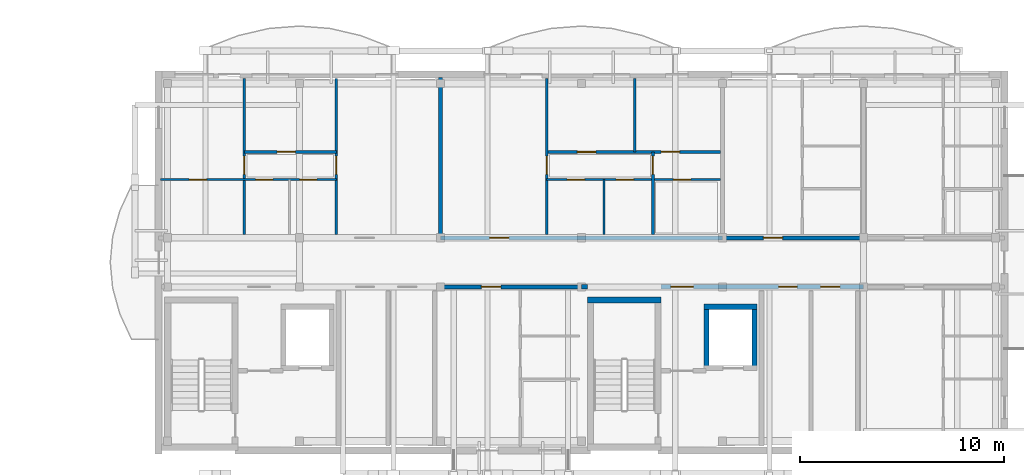
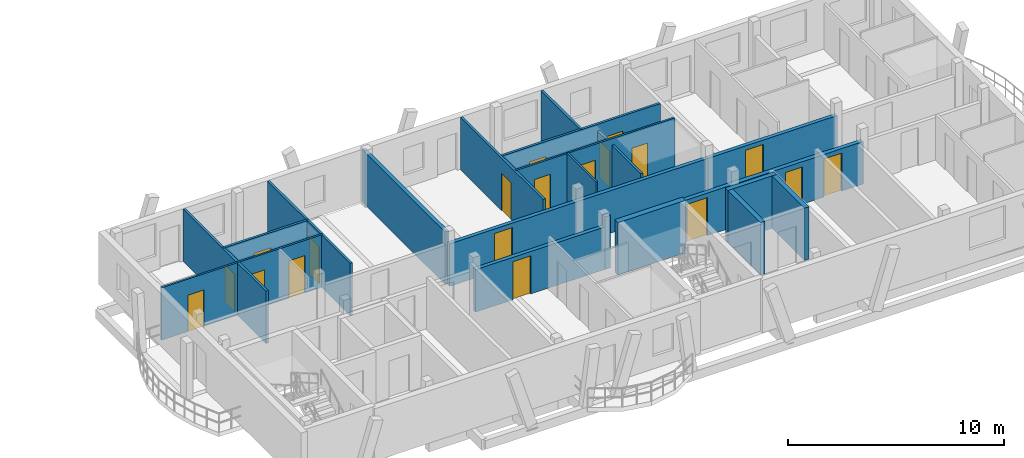
# One storey, part 29 of 41: 20 walls, 19 doors, 19 openings.
"""IFC4 building model written with IfcOpenShell, lengths in metres."""

from ifc_helpers import new_model, si_unit, direction, frame, frame_2d, origin, origin_with_axes, place, context, subcontext, project, spatial, rectangle, extrude, material, layer, layer_set, type_object, element, fill, save


model = new_model("IFC4")

# Units and contexts
model_context = context("Model", 3, precision=1e-05, world=origin(), true_north=direction((0.0, 1.0)))
body_context = subcontext(model_context, "Body", "Model", "MODEL_VIEW")
ifc_project = project(units=[si_unit("LENGTHUNIT", "METRE"), si_unit("AREAUNIT", "SQUARE_METRE"), si_unit("VOLUMEUNIT", "CUBIC_METRE"), si_unit("PLANEANGLEUNIT", "RADIAN"), si_unit("MASSUNIT", "GRAM", prefix="KILO")], contexts=[model_context])

# Site, building, storey
site_placement = place(None, origin())
site = spatial("IfcSite", under=ifc_project, at=site_placement, CompositionType="ELEMENT")
building_placement = place(site_placement, origin())
building = spatial("IfcBuilding", under=site, at=building_placement, Name="Zavelmont Quarter", CompositionType="ELEMENT")
storey_placement = place(building_placement, frame((0.0, 0.0, 27.199951171875)))
storey = spatial("IfcBuildingStorey", under=building, at=storey_placement, Name="L08", CompositionType="ELEMENT", Elevation=27.199951171875)

# Wall
ifc_material_1 = material(Name="Calcium-silicate blockwork and acoustic plaster", Category="masonry")
ifc_layer_1 = layer(ifc_material_1, 0.199951171875)
ifc_layer_set_1 = layer_set([ifc_layer_1], Name="Calcium-silicate blockwork and acoustic plaster")
wall_type_1 = type_object("IfcWallType", Name="IW01", PredefinedType="PARTITIONING", material=ifc_layer_set_1)
wall_1_placement = place(storey_placement, frame((140.39990234375, 108.14990234375, 0.0), z_axis=(0.0, 0.0, 1.0), x_axis=(0.0, 1.0, 0.0)))
element("IfcWall", 1, at=wall_1_placement, inside=storey, type_object=wall_type_1, Name="L08 Inter-dwelling compartment wall IW01", PredefinedType="PARTITIONING", context=body_context, shape_type="SweptSolid", body=[
    extrude(rectangle(XDim=7.7001953125, YDim=0.199951171875, at=frame_2d((3.85009765625, 0.0))), origin(), (0.0, 0.0, 1.0), 2.9599609375),
])

# Wall, opening, door
wall_2_placement = place(storey_placement, frame((140.39990234375, 108.0, 0.0), z_axis=(0.0, 0.0, 1.0), x_axis=(1.0, 0.0, 0.0)))
wall_2 = element("IfcWall", 2, at=wall_2_placement, inside=storey, type_object=wall_type_1, Name="L08 Corridor compartment wall IW01", PredefinedType="PARTITIONING", context=body_context, shape_type="SweptSolid", body=[
    extrude(rectangle(XDim=13.800048828125, YDim=0.199951171875, at=frame_2d((6.89990234375, 0.0))), origin(), (0.0, 0.0, 1.0), 2.400146484375),
])
opening_1_placement = place(wall_2_placement, frame((2.39990234375, 0.0, 0.0)))
opening_1 = element("IfcOpeningElement", 3, at=opening_1_placement, cuts=wall_2, Name="Opening DR02", PredefinedType="OPENING", context=body_context, shape_type="SweptSolid", body=[
    extrude(rectangle(XDim=0.949951171875, YDim=2.14990234375, at=frame_2d((0.47509765625, 1.074951171875))), frame((0.0, 0.11181640625, 0.0), z_axis=(0.0, -1.0, 0.0), x_axis=(1.0, 0.0, 0.0)), (0.0, 0.0, 1.0), 0.223876953125),
])
ifc_material_2 = material(Name="Solid-core oak fire leaf in steel frame", Category="steel")
door_type_1 = type_object("IfcDoorType", Name="DR02", OperationType="NOTDEFINED", PredefinedType="DOOR", material=ifc_material_2)
door_1_placement = place(opening_1_placement, origin_with_axes())
door_1 = element("IfcDoor", 4, at=door_1_placement, inside=storey, type_object=door_type_1, Name="L08 door DR02", OperationType="SINGLE_SWING_LEFT", OverallHeight=2.14990234375, OverallWidth=0.949951171875, PredefinedType="DOOR", context=body_context, shape_type="SweptSolid", body=[
    extrude(rectangle(XDim=0.949951171875, YDim=2.14990234375, at=frame_2d((0.47509765625, 1.074951171875))), frame((0.0, 0.02490234375, 0.0), z_axis=(0.0, -1.0, 0.0), x_axis=(1.0, 0.0, 0.0)), (0.0, 0.0, 1.0), 0.050048828125),
])
fill(opening_1, door_1)

wall_3_placement = place(storey_placement, frame((154.199951171875, 108.0, 0.0), z_axis=(0.0, 0.0, 1.0), x_axis=(1.0, 0.0, 0.0)))
wall_3 = element("IfcWall", 5, at=wall_3_placement, inside=storey, type_object=wall_type_1, Name="L08 Corridor compartment wall IW01", PredefinedType="PARTITIONING", context=body_context, shape_type="SweptSolid", body=[
    extrude(rectangle(XDim=6.900146484375, YDim=0.199951171875, at=frame_2d((3.4501953125, 0.0))), origin(), (0.0, 0.0, 1.0), 2.400146484375),
])
opening_2_placement = place(wall_3_placement, frame((2.0, 0.0, 0.0)))
opening_2 = element("IfcOpeningElement", 6, at=opening_2_placement, cuts=wall_3, Name="Opening DR02", PredefinedType="OPENING", context=body_context, shape_type="SweptSolid", body=[
    extrude(rectangle(XDim=0.949951171875, YDim=2.14990234375, at=frame_2d((0.47509765625, 1.074951171875))), frame((0.0, 0.11181640625, 0.0), z_axis=(0.0, -1.0, 0.0), x_axis=(1.0, 0.0, 0.0)), (0.0, 0.0, 1.0), 0.223876953125),
])
door_2_placement = place(opening_2_placement, origin_with_axes())
door_2 = element("IfcDoor", 7, at=door_2_placement, inside=storey, type_object=door_type_1, Name="L08 door DR02", OperationType="SINGLE_SWING_RIGHT", OverallHeight=2.14990234375, OverallWidth=0.949951171875, PredefinedType="DOOR", context=body_context, shape_type="SweptSolid", body=[
    extrude(rectangle(XDim=0.949951171875, YDim=2.14990234375, at=frame_2d((0.47509765625, 1.074951171875))), frame((0.0, 0.02490234375, 0.0), z_axis=(0.0, -1.0, 0.0), x_axis=(1.0, 0.0, 0.0)), (0.0, 0.0, 1.0), 0.050048828125),
])
fill(opening_2, door_2)

wall_4_placement = place(storey_placement, frame((140.39990234375, 105.60009765625, 0.0), z_axis=(0.0, 0.0, 1.0), x_axis=(1.0, 0.0, 0.0)))
wall_4 = element("IfcWall", 8, at=wall_4_placement, inside=storey, type_object=wall_type_1, Name="L08 Corridor compartment wall IW01", PredefinedType="PARTITIONING", context=body_context, shape_type="SweptSolid", body=[
    extrude(rectangle(XDim=6.900146484375, YDim=0.199951171875, at=frame_2d((3.4501953125, 0.0))), origin(), (0.0, 0.0, 1.0), 2.400146484375),
])
opening_3_placement = place(wall_4_placement, frame((2.0, 0.0, 0.0)))
opening_3 = element("IfcOpeningElement", 9, at=opening_3_placement, cuts=wall_4, Name="Opening DR02", PredefinedType="OPENING", context=body_context, shape_type="SweptSolid", body=[
    extrude(rectangle(XDim=0.949951171875, YDim=2.14990234375, at=frame_2d((0.47509765625, 1.074951171875))), frame((0.0, 0.11181640625, 0.0), z_axis=(0.0, -1.0, 0.0), x_axis=(1.0, 0.0, 0.0)), (0.0, 0.0, 1.0), 0.223876953125),
])
door_3_placement = place(opening_3_placement, frame((0.949951171875, 0.0, 0.0), z_axis=(0.0, 0.0, 1.0), x_axis=(-1.0, 0.0, 0.0)))
door_3 = element("IfcDoor", 10, at=door_3_placement, inside=storey, type_object=door_type_1, Name="L08 door DR02", OperationType="SINGLE_SWING_RIGHT", OverallHeight=2.14990234375, OverallWidth=0.949951171875, PredefinedType="DOOR", context=body_context, shape_type="SweptSolid", body=[
    extrude(rectangle(XDim=0.949951171875, YDim=2.14990234375, at=frame_2d((0.47509765625, 1.074951171875))), frame((0.0, 0.02490234375, 0.0), z_axis=(0.0, -1.0, 0.0), x_axis=(1.0, 0.0, 0.0)), (0.0, 0.0, 1.0), 0.050048828125),
])
fill(opening_3, door_3)

# Wall
ifc_material_3 = material(Name="Reinforced masonry fire compartment wall", Category="masonry")
ifc_layer_2 = layer(ifc_material_3, 0.22509765625)
ifc_layer_set_2 = layer_set([ifc_layer_2], Name="Reinforced masonry fire compartment wall")
wall_type_2 = type_object("IfcWallType", Name="IW02", PredefinedType="PARTITIONING", material=ifc_layer_set_2)
wall_5_placement = place(storey_placement, frame((147.300048828125, 105.60009765625, 0.0), z_axis=(0.0, 0.0, 1.0), x_axis=(1.0, 0.0, 0.0)))
element("IfcWall", 11, at=wall_5_placement, inside=storey, type_object=wall_type_2, Name="L08 Core corridor wall IW02", PredefinedType="PARTITIONING", context=body_context, shape_type="SweptSolid", body=[
    extrude(rectangle(XDim=0.300048828125, YDim=0.22509765625, at=frame_2d((0.14990234375, 0.0))), origin(), (0.0, 0.0, 1.0), 2.9599609375),
])

# Wall, openings, doors
wall_6_placement = place(storey_placement, frame((151.199951171875, 105.60009765625, 0.0), z_axis=(0.0, 0.0, 1.0), x_axis=(1.0, 0.0, 0.0)))
wall_6 = element("IfcWall", 12, at=wall_6_placement, inside=storey, type_object=wall_type_2, Name="L08 Core corridor fire wall IW02", PredefinedType="PARTITIONING", context=body_context, shape_type="SweptSolid", body=[
    extrude(rectangle(XDim=9.900146484375, YDim=0.22509765625, at=frame_2d((4.9501953125, 0.0))), origin(), (0.0, 0.0, 1.0), 2.400146484375),
])
opening_4_placement = place(wall_6_placement, frame((0.47509765625, 0.0, 0.0)))
opening_4 = element("IfcOpeningElement", 13, at=opening_4_placement, cuts=wall_6, Name="Opening DR10", PredefinedType="OPENING", context=body_context, shape_type="SweptSolid", body=[
    extrude(rectangle(XDim=1.10009765625, YDim=2.14990234375, at=frame_2d((0.550048828125, 1.074951171875))), frame((0.0, 0.12451171875, 0.0), z_axis=(0.0, -1.0, 0.0), x_axis=(1.0, 0.0, 0.0)), (0.0, 0.0, 1.0), 0.2490234375),
])
opening_5_placement = place(wall_6_placement, frame((5.75, 0.0, 0.0)))
opening_5 = element("IfcOpeningElement", 14, at=opening_5_placement, cuts=wall_6, Name="Opening DR11", PredefinedType="OPENING", context=body_context, shape_type="SweptSolid", body=[
    extrude(rectangle(XDim=0.89990234375, YDim=2.10009765625, at=frame_2d((0.449951171875, 1.050048828125))), frame((0.0, 0.12451171875, 0.0), z_axis=(0.0, -1.0, 0.0), x_axis=(1.0, 0.0, 0.0)), (0.0, 0.0, 1.0), 0.2490234375),
])
opening_6_placement = place(wall_6_placement, frame((7.800048828125, 0.0, 0.0)))
opening_6 = element("IfcOpeningElement", 15, at=opening_6_placement, cuts=wall_6, Name="Opening DR02", PredefinedType="OPENING", context=body_context, shape_type="SweptSolid", body=[
    extrude(rectangle(XDim=0.949951171875, YDim=2.14990234375, at=frame_2d((0.47509765625, 1.074951171875))), frame((0.0, 0.12451171875, 0.0), z_axis=(0.0, -1.0, 0.0), x_axis=(1.0, 0.0, 0.0)), (0.0, 0.0, 1.0), 0.2490234375),
])
door_4_placement = place(opening_6_placement, origin_with_axes())
door_4 = element("IfcDoor", 16, at=door_4_placement, inside=storey, type_object=door_type_1, Name="Auxiliary store corridor door", OperationType="SINGLE_SWING_RIGHT", OverallHeight=2.14990234375, OverallWidth=0.949951171875, PredefinedType="DOOR", context=body_context, shape_type="SweptSolid", body=[
    extrude(rectangle(XDim=0.949951171875, YDim=2.14990234375, at=frame_2d((0.47509765625, 1.074951171875))), frame((0.0, 0.02490234375, 0.0), z_axis=(0.0, -1.0, 0.0), x_axis=(1.0, 0.0, 0.0)), (0.0, 0.0, 1.0), 0.050048828125),
])
fill(opening_6, door_4)
ifc_material_4 = material(Name="Painted steel lobby fire door", Category="steel")
door_type_2 = type_object("IfcDoorType", Name="DR10", OperationType="NOTDEFINED", PredefinedType="DOOR", material=ifc_material_4)
door_5_placement = place(opening_4_placement, frame((1.10009765625, 0.0, 0.0), z_axis=(0.0, 0.0, 1.0), x_axis=(-1.0, 0.0, 0.0)))
door_5 = element("IfcDoor", 17, at=door_5_placement, inside=storey, type_object=door_type_2, Name="Core vestibule fire door", OperationType="SINGLE_SWING_RIGHT", OverallHeight=2.14990234375, OverallWidth=1.10009765625, PredefinedType="DOOR", context=body_context, shape_type="SweptSolid", body=[
    extrude(rectangle(XDim=1.10009765625, YDim=2.14990234375, at=frame_2d((0.550048828125, 1.074951171875))), frame((0.0, 0.02490234375, 0.0), z_axis=(0.0, -1.0, 0.0), x_axis=(1.0, 0.0, 0.0)), (0.0, 0.0, 1.0), 0.050048828125),
])
fill(opening_4, door_5)
ifc_material_5 = material(Name="Painted steel service-riser fire door", Category="steel")
door_type_3 = type_object("IfcDoorType", Name="DR11", OperationType="NOTDEFINED", PredefinedType="DOOR", material=ifc_material_5)
door_6_placement = place(opening_5_placement, origin_with_axes())
door_6 = element("IfcDoor", 18, at=door_6_placement, inside=storey, type_object=door_type_3, Name="Service riser fire door", OperationType="SINGLE_SWING_LEFT", OverallHeight=2.10009765625, OverallWidth=0.89990234375, PredefinedType="DOOR", context=body_context, shape_type="SweptSolid", body=[
    extrude(rectangle(XDim=0.89990234375, YDim=2.10009765625, at=frame_2d((0.449951171875, 1.050048828125))), frame((0.0, 0.02490234375, 0.0), z_axis=(0.0, -1.0, 0.0), x_axis=(1.0, 0.0, 0.0)), (0.0, 0.0, 1.0), 0.050048828125),
])
fill(opening_5, door_6)

# Wall, opening, door
ifc_material_6 = material(Name="Double gypsum board on acoustic steel stud", Category="steel")
ifc_layer_3 = layer(ifc_material_6, 0.125)
ifc_layer_set_3 = layer_set([ifc_layer_3], Name="Double gypsum board on acoustic steel stud")
wall_type_3 = type_object("IfcWallType", Name="IW03", PredefinedType="PARTITIONING", material=ifc_layer_set_3)
wall_7_placement = place(storey_placement, frame((135.300048828125, 108.14990234375, 0.0), z_axis=(0.0, 0.0, 1.0), x_axis=(0.0, 1.0, 0.0)))
wall_7 = element("IfcWall", 19, at=wall_7_placement, inside=storey, type_object=wall_type_3, Name="L08 Partition IW03", PredefinedType="PARTITIONING", context=body_context, shape_type="SweptSolid", body=[
    extrude(rectangle(XDim=7.650146484375, YDim=0.125, at=frame_2d((3.8251953125, 0.0))), origin(), (0.0, 0.0, 1.0), 2.9599609375),
])
opening_7_placement = place(wall_7_placement, frame((2.949951171875, 0.0, 0.0)))
opening_7 = element("IfcOpeningElement", 20, at=opening_7_placement, cuts=wall_7, Name="Opening DR05", PredefinedType="OPENING", context=body_context, shape_type="SweptSolid", body=[
    extrude(rectangle(XDim=0.89990234375, YDim=2.10009765625, at=frame_2d((0.449951171875, 1.050048828125))), frame((0.0, 0.074462890625, 0.0), z_axis=(0.0, -1.0, 0.0), x_axis=(1.0, 0.0, 0.0)), (0.0, 0.0, 1.0), 0.14892578125),
])
ifc_material_7 = material(Name="Engineered oak flush interior door")
door_type_4 = type_object("IfcDoorType", Name="DR05", OperationType="NOTDEFINED", PredefinedType="DOOR", material=ifc_material_7)
door_7_placement = place(opening_7_placement, origin_with_axes())
door_7 = element("IfcDoor", 21, at=door_7_placement, inside=storey, type_object=door_type_4, Name="L08 door DR05", OperationType="SINGLE_SWING_LEFT", OverallHeight=2.10009765625, OverallWidth=0.89990234375, PredefinedType="DOOR", context=body_context, shape_type="SweptSolid", body=[
    extrude(rectangle(XDim=0.89990234375, YDim=2.10009765625, at=frame_2d((0.449951171875, 1.050048828125))), frame((0.0, 0.02490234375, 0.0), z_axis=(0.0, -1.0, 0.0), x_axis=(1.0, 0.0, 0.0)), (0.0, 0.0, 1.0), 0.050048828125),
])
fill(opening_7, door_7)

wall_8_placement = place(storey_placement, frame((130.800048828125, 108.14990234375, 0.0), z_axis=(0.0, 0.0, 1.0), x_axis=(0.0, 1.0, 0.0)))
wall_8 = element("IfcWall", 22, at=wall_8_placement, inside=storey, type_object=wall_type_3, Name="L08 Partition IW03", PredefinedType="PARTITIONING", context=body_context, shape_type="SweptSolid", body=[
    extrude(rectangle(XDim=7.650146484375, YDim=0.125, at=frame_2d((3.8251953125, 0.0))), origin(), (0.0, 0.0, 1.0), 2.9599609375),
])
opening_8_placement = place(wall_8_placement, frame((2.949951171875, 0.0, 0.0)))
opening_8 = element("IfcOpeningElement", 23, at=opening_8_placement, cuts=wall_8, Name="Opening DR05", PredefinedType="OPENING", context=body_context, shape_type="SweptSolid", body=[
    extrude(rectangle(XDim=0.89990234375, YDim=2.10009765625, at=frame_2d((0.449951171875, 1.050048828125))), frame((0.0, 0.074462890625, 0.0), z_axis=(0.0, -1.0, 0.0), x_axis=(1.0, 0.0, 0.0)), (0.0, 0.0, 1.0), 0.14892578125),
])
door_8_placement = place(opening_8_placement, frame((0.89990234375, 0.0, 0.0), z_axis=(0.0, 0.0, 1.0), x_axis=(-1.0, 0.0, 0.0)))
door_8 = element("IfcDoor", 24, at=door_8_placement, inside=storey, type_object=door_type_4, Name="L08 door DR05", OperationType="SINGLE_SWING_RIGHT", OverallHeight=2.10009765625, OverallWidth=0.89990234375, PredefinedType="DOOR", context=body_context, shape_type="SweptSolid", body=[
    extrude(rectangle(XDim=0.89990234375, YDim=2.10009765625, at=frame_2d((0.449951171875, 1.050048828125))), frame((0.0, 0.02490234375, 0.0), z_axis=(0.0, -1.0, 0.0), x_axis=(1.0, 0.0, 0.0)), (0.0, 0.0, 1.0), 0.050048828125),
])
fill(opening_8, door_8)

wall_9_placement = place(storey_placement, frame((130.800048828125, 112.199951171875, 0.0), z_axis=(0.0, 0.0, 1.0), x_axis=(1.0, 0.0, 0.0)))
wall_9 = element("IfcWall", 25, at=wall_9_placement, inside=storey, type_object=wall_type_3, Name="L08 Partition IW03", PredefinedType="PARTITIONING", context=body_context, shape_type="SweptSolid", body=[
    extrude(rectangle(XDim=4.5, YDim=0.125, at=frame_2d((2.25, 0.0))), origin(), (0.0, 0.0, 1.0), 2.9599609375),
])
opening_9_placement = place(wall_9_placement, frame((1.60009765625, 0.0, 0.0)))
opening_9 = element("IfcOpeningElement", 26, at=opening_9_placement, cuts=wall_9, Name="Opening DR05", PredefinedType="OPENING", context=body_context, shape_type="SweptSolid", body=[
    extrude(rectangle(XDim=0.89990234375, YDim=2.10009765625, at=frame_2d((0.449951171875, 1.050048828125))), frame((0.0, 0.074462890625, 0.0), z_axis=(0.0, -1.0, 0.0), x_axis=(1.0, 0.0, 0.0)), (0.0, 0.0, 1.0), 0.14892578125),
])
door_9_placement = place(opening_9_placement, frame((0.89990234375, 0.0, 0.0), z_axis=(0.0, 0.0, 1.0), x_axis=(-1.0, 0.0, 0.0)))
door_9 = element("IfcDoor", 27, at=door_9_placement, inside=storey, type_object=door_type_4, Name="L08 door DR05", OperationType="SINGLE_SWING_RIGHT", OverallHeight=2.10009765625, OverallWidth=0.89990234375, PredefinedType="DOOR", context=body_context, shape_type="SweptSolid", body=[
    extrude(rectangle(XDim=0.89990234375, YDim=2.10009765625, at=frame_2d((0.449951171875, 1.050048828125))), frame((0.0, 0.02490234375, 0.0), z_axis=(0.0, -1.0, 0.0), x_axis=(1.0, 0.0, 0.0)), (0.0, 0.0, 1.0), 0.050048828125),
])
fill(opening_9, door_9)

wall_10_placement = place(storey_placement, frame((145.60009765625, 108.14990234375, 0.0), z_axis=(0.0, 0.0, 1.0), x_axis=(0.0, 1.0, 0.0)))
wall_10 = element("IfcWall", 28, at=wall_10_placement, inside=storey, type_object=wall_type_3, Name="L08 Partition IW03", PredefinedType="PARTITIONING", context=body_context, shape_type="SweptSolid", body=[
    extrude(rectangle(XDim=7.650146484375, YDim=0.125, at=frame_2d((3.8251953125, 0.0))), origin(), (0.0, 0.0, 1.0), 2.9599609375),
])
opening_10_placement = place(wall_10_placement, frame((2.949951171875, 0.0, 0.0)))
opening_10 = element("IfcOpeningElement", 29, at=opening_10_placement, cuts=wall_10, Name="Opening DR05", PredefinedType="OPENING", context=body_context, shape_type="SweptSolid", body=[
    extrude(rectangle(XDim=0.89990234375, YDim=2.10009765625, at=frame_2d((0.449951171875, 1.050048828125))), frame((0.0, 0.074462890625, 0.0), z_axis=(0.0, -1.0, 0.0), x_axis=(1.0, 0.0, 0.0)), (0.0, 0.0, 1.0), 0.14892578125),
])
door_10_placement = place(opening_10_placement, frame((0.89990234375, 0.0, 0.0), z_axis=(0.0, 0.0, 1.0), x_axis=(-1.0, 0.0, 0.0)))
door_10 = element("IfcDoor", 30, at=door_10_placement, inside=storey, type_object=door_type_4, Name="L08 door DR05", OperationType="SINGLE_SWING_LEFT", OverallHeight=2.10009765625, OverallWidth=0.89990234375, PredefinedType="DOOR", context=body_context, shape_type="SweptSolid", body=[
    extrude(rectangle(XDim=0.89990234375, YDim=2.10009765625, at=frame_2d((0.449951171875, 1.050048828125))), frame((0.0, 0.02490234375, 0.0), z_axis=(0.0, -1.0, 0.0), x_axis=(1.0, 0.0, 0.0)), (0.0, 0.0, 1.0), 0.050048828125),
])
fill(opening_10, door_10)

wall_11_placement = place(storey_placement, frame((150.800048828125, 108.14990234375, 0.0), z_axis=(0.0, 0.0, 1.0), x_axis=(0.0, 1.0, 0.0)))
wall_11 = element("IfcWall", 31, at=wall_11_placement, inside=storey, type_object=wall_type_3, Name="L08 Partition IW03", PredefinedType="PARTITIONING", context=body_context, shape_type="SweptSolid", body=[
    extrude(rectangle(XDim=4.050048828125, YDim=0.125, at=frame_2d((2.02490234375, 0.0))), origin(), (0.0, 0.0, 1.0), 2.590087890625),
])
opening_11_placement = place(wall_11_placement, frame((2.949951171875, 0.0, 0.0)))
opening_11 = element("IfcOpeningElement", 32, at=opening_11_placement, cuts=wall_11, Name="Opening DR05", PredefinedType="OPENING", context=body_context, shape_type="SweptSolid", body=[
    extrude(rectangle(XDim=0.89990234375, YDim=2.10009765625, at=frame_2d((0.449951171875, 1.050048828125))), frame((0.0, 0.074462890625, 0.0), z_axis=(0.0, -1.0, 0.0), x_axis=(1.0, 0.0, 0.0)), (0.0, 0.0, 1.0), 0.14892578125),
])
door_11_placement = place(opening_11_placement, origin_with_axes())
door_11 = element("IfcDoor", 33, at=door_11_placement, inside=storey, type_object=door_type_4, Name="L08 door DR05", OperationType="SINGLE_SWING_RIGHT", OverallHeight=2.10009765625, OverallWidth=0.89990234375, PredefinedType="DOOR", context=body_context, shape_type="SweptSolid", body=[
    extrude(rectangle(XDim=0.89990234375, YDim=2.10009765625, at=frame_2d((0.449951171875, 1.050048828125))), frame((0.0, 0.02490234375, 0.0), z_axis=(0.0, -1.0, 0.0), x_axis=(1.0, 0.0, 0.0)), (0.0, 0.0, 1.0), 0.050048828125),
])
fill(opening_11, door_11)

# Wall
wall_12_placement = place(storey_placement, frame((149.89990234375, 112.199951171875, 0.0), z_axis=(0.0, 0.0, 1.0), x_axis=(0.0, 1.0, 0.0)))
element("IfcWall", 34, at=wall_12_placement, inside=storey, type_object=wall_type_3, Name="L08 Partition IW03", PredefinedType="PARTITIONING", context=body_context, shape_type="SweptSolid", body=[
    extrude(rectangle(XDim=3.60009765625, YDim=0.125, at=frame_2d((1.800048828125, 0.0))), origin(), (0.0, 0.0, 1.0), 2.9599609375),
])

# Wall, openings, doors
wall_13_placement = place(storey_placement, frame((145.60009765625, 112.199951171875, 0.0), z_axis=(0.0, 0.0, 1.0), x_axis=(1.0, 0.0, 0.0)))
wall_13 = element("IfcWall", 35, at=wall_13_placement, inside=storey, type_object=wall_type_3, Name="L08 Partition IW03", PredefinedType="PARTITIONING", context=body_context, shape_type="SweptSolid", body=[
    extrude(rectangle(XDim=8.5, YDim=0.125, at=frame_2d((4.25, 0.0))), origin(), (0.0, 0.0, 1.0), 2.9599609375),
])
opening_12_placement = place(wall_13_placement, frame((1.5, 0.0, 0.0)))
opening_12 = element("IfcOpeningElement", 36, at=opening_12_placement, cuts=wall_13, Name="Opening DR05", PredefinedType="OPENING", context=body_context, shape_type="SweptSolid", body=[
    extrude(rectangle(XDim=0.89990234375, YDim=2.10009765625, at=frame_2d((0.449951171875, 1.050048828125))), frame((0.0, 0.074462890625, 0.0), z_axis=(0.0, -1.0, 0.0), x_axis=(1.0, 0.0, 0.0)), (0.0, 0.0, 1.0), 0.14892578125),
])
opening_13_placement = place(wall_13_placement, frame((5.60009765625, 0.0, 0.0)))
opening_13 = element("IfcOpeningElement", 37, at=opening_13_placement, cuts=wall_13, Name="Opening DR05", PredefinedType="OPENING", context=body_context, shape_type="SweptSolid", body=[
    extrude(rectangle(XDim=0.89990234375, YDim=2.10009765625, at=frame_2d((0.449951171875, 1.050048828125))), frame((0.0, 0.074462890625, 0.0), z_axis=(0.0, -1.0, 0.0), x_axis=(1.0, 0.0, 0.0)), (0.0, 0.0, 1.0), 0.14892578125),
])
door_12_placement = place(opening_12_placement, origin_with_axes())
door_12 = element("IfcDoor", 38, at=door_12_placement, inside=storey, type_object=door_type_4, Name="L08 door DR05", OperationType="SINGLE_SWING_RIGHT", OverallHeight=2.10009765625, OverallWidth=0.89990234375, PredefinedType="DOOR", context=body_context, shape_type="SweptSolid", body=[
    extrude(rectangle(XDim=0.89990234375, YDim=2.10009765625, at=frame_2d((0.449951171875, 1.050048828125))), frame((0.0, 0.02490234375, 0.0), z_axis=(0.0, -1.0, 0.0), x_axis=(1.0, 0.0, 0.0)), (0.0, 0.0, 1.0), 0.050048828125),
])
fill(opening_12, door_12)
door_13_placement = place(opening_13_placement, frame((0.89990234375, 0.0, 0.0), z_axis=(0.0, 0.0, 1.0), x_axis=(-1.0, 0.0, 0.0)))
door_13 = element("IfcDoor", 39, at=door_13_placement, inside=storey, type_object=door_type_4, Name="L08 door DR05", OperationType="SINGLE_SWING_LEFT", OverallHeight=2.10009765625, OverallWidth=0.89990234375, PredefinedType="DOOR", context=body_context, shape_type="SweptSolid", body=[
    extrude(rectangle(XDim=0.89990234375, YDim=2.10009765625, at=frame_2d((0.449951171875, 1.050048828125))), frame((0.0, 0.02490234375, 0.0), z_axis=(0.0, -1.0, 0.0), x_axis=(1.0, 0.0, 0.0)), (0.0, 0.0, 1.0), 0.050048828125),
])
fill(opening_13, door_13)

ifc_material_8 = material(Name="Moisture-resistant gypsum board on steel stud", Category="steel")
ifc_layer_4 = layer(ifc_material_8, 0.10009765625)
ifc_layer_set_4 = layer_set([ifc_layer_4], Name="Moisture-resistant gypsum board on steel stud")
wall_type_4 = type_object("IfcWallType", Name="IW04", PredefinedType="PARTITIONING", material=ifc_layer_set_4)
wall_14_placement = place(storey_placement, frame((126.699951171875, 110.85009765625, 0.0), z_axis=(0.0, 0.0, 1.0), x_axis=(1.0, 0.0, 0.0)))
wall_14 = element("IfcWall", 40, at=wall_14_placement, inside=storey, type_object=wall_type_4, Name="L08 Partition IW04", PredefinedType="PARTITIONING", context=body_context, shape_type="SweptSolid", body=[
    extrude(rectangle(XDim=8.60009765625, YDim=0.10009765625, at=frame_2d((4.300048828125, 0.0))), origin(), (0.0, 0.0, 1.0), 2.9599609375),
])
opening_14_placement = place(wall_14_placement, frame((1.39990234375, 0.0, 0.0)))
opening_14 = element("IfcOpeningElement", 41, at=opening_14_placement, cuts=wall_14, Name="Opening DR06", PredefinedType="OPENING", context=body_context, shape_type="SweptSolid", body=[
    extrude(rectangle(XDim=0.85009765625, YDim=2.050048828125, at=frame_2d((0.425048828125, 1.02490234375))), frame((0.0, 0.06201171875, 0.0), z_axis=(0.0, -1.0, 0.0), x_axis=(1.0, 0.0, 0.0)), (0.0, 0.0, 1.0), 0.1240234375),
])
opening_15_placement = place(wall_14_placement, frame((4.64990234375, 0.0, 0.0)))
opening_15 = element("IfcOpeningElement", 42, at=opening_15_placement, cuts=wall_14, Name="Opening DR06", PredefinedType="OPENING", context=body_context, shape_type="SweptSolid", body=[
    extrude(rectangle(XDim=0.85009765625, YDim=2.050048828125, at=frame_2d((0.425048828125, 1.02490234375))), frame((0.0, 0.06201171875, 0.0), z_axis=(0.0, -1.0, 0.0), x_axis=(1.0, 0.0, 0.0)), (0.0, 0.0, 1.0), 0.1240234375),
])
opening_16_placement = place(wall_14_placement, frame((6.800048828125, 0.0, 0.0)))
opening_16 = element("IfcOpeningElement", 43, at=opening_16_placement, cuts=wall_14, Name="Opening DR16", PredefinedType="OPENING", context=body_context, shape_type="SweptSolid", body=[
    extrude(rectangle(XDim=0.85009765625, YDim=2.10009765625, at=frame_2d((0.425048828125, 1.050048828125))), frame((0.0, 0.06201171875, 0.0), z_axis=(0.0, -1.0, 0.0), x_axis=(1.0, 0.0, 0.0)), (0.0, 0.0, 1.0), 0.1240234375),
])
ifc_material_9 = material(Name="Moisture-resistant painted wet-room door")
door_type_5 = type_object("IfcDoorType", Name="DR06", OperationType="NOTDEFINED", PredefinedType="DOOR", material=ifc_material_9)
door_14_placement = place(opening_14_placement, origin_with_axes())
door_14 = element("IfcDoor", 44, at=door_14_placement, inside=storey, type_object=door_type_5, Name="L08 door DR06", OperationType="SINGLE_SWING_LEFT", OverallHeight=2.050048828125, OverallWidth=0.85009765625, PredefinedType="DOOR", context=body_context, shape_type="SweptSolid", body=[
    extrude(rectangle(XDim=0.85009765625, YDim=2.050048828125, at=frame_2d((0.425048828125, 1.02490234375))), frame((0.0, 0.02490234375, 0.0), z_axis=(0.0, -1.0, 0.0), x_axis=(1.0, 0.0, 0.0)), (0.0, 0.0, 1.0), 0.050048828125),
])
fill(opening_14, door_14)
door_15_placement = place(opening_15_placement, frame((0.85009765625, 0.0, 0.0), z_axis=(0.0, 0.0, 1.0), x_axis=(-1.0, 0.0, 0.0)))
door_15 = element("IfcDoor", 45, at=door_15_placement, inside=storey, type_object=door_type_5, Name="L08 door DR06", OperationType="SINGLE_SWING_RIGHT", OverallHeight=2.050048828125, OverallWidth=0.85009765625, PredefinedType="DOOR", context=body_context, shape_type="SweptSolid", body=[
    extrude(rectangle(XDim=0.85009765625, YDim=2.050048828125, at=frame_2d((0.425048828125, 1.02490234375))), frame((0.0, 0.02490234375, 0.0), z_axis=(0.0, -1.0, 0.0), x_axis=(1.0, 0.0, 0.0)), (0.0, 0.0, 1.0), 0.050048828125),
])
fill(opening_15, door_15)
door_type_6 = type_object("IfcDoorType", Name="DR16", OperationType="NOTDEFINED", PredefinedType="DOOR", material=ifc_material_7)
door_16_placement = place(opening_16_placement, origin_with_axes())
door_16 = element("IfcDoor", 46, at=door_16_placement, inside=storey, type_object=door_type_6, Name="L08 door DR16", OperationType="SINGLE_SWING_LEFT", OverallHeight=2.10009765625, OverallWidth=0.85009765625, PredefinedType="DOOR", context=body_context, shape_type="SweptSolid", body=[
    extrude(rectangle(XDim=0.85009765625, YDim=2.10009765625, at=frame_2d((0.425048828125, 1.050048828125))), frame((0.0, 0.02490234375, 0.0), z_axis=(0.0, -1.0, 0.0), x_axis=(1.0, 0.0, 0.0)), (0.0, 0.0, 1.0), 0.050048828125),
])
fill(opening_16, door_16)

# Wall
wall_15_placement = place(storey_placement, frame((148.39990234375, 108.14990234375, 0.0), z_axis=(0.0, 0.0, 1.0), x_axis=(0.0, 1.0, 0.0)))
element("IfcWall", 47, at=wall_15_placement, inside=storey, type_object=wall_type_4, Name="L08 Partition IW04", PredefinedType="PARTITIONING", context=body_context, shape_type="SweptSolid", body=[
    extrude(rectangle(XDim=2.7001953125, YDim=0.10009765625, at=frame_2d((1.35009765625, 0.0))), origin(), (0.0, 0.0, 1.0), 2.9599609375),
])

# Wall, openings, doors
wall_16_placement = place(storey_placement, frame((145.60009765625, 110.85009765625, 0.0), z_axis=(0.0, 0.0, 1.0), x_axis=(1.0, 0.0, 0.0)))
wall_16 = element("IfcWall", 48, at=wall_16_placement, inside=storey, type_object=wall_type_4, Name="L08 Partition IW04", PredefinedType="PARTITIONING", context=body_context, shape_type="SweptSolid", body=[
    extrude(rectangle(XDim=8.5, YDim=0.10009765625, at=frame_2d((4.25, 0.0))), origin(), (0.0, 0.0, 1.0), 2.9599609375),
])
opening_17_placement = place(wall_16_placement, frame((1.0, 0.0, 0.0)))
opening_17 = element("IfcOpeningElement", 49, at=opening_17_placement, cuts=wall_16, Name="Opening DR16", PredefinedType="OPENING", context=body_context, shape_type="SweptSolid", body=[
    extrude(rectangle(XDim=0.85009765625, YDim=2.10009765625, at=frame_2d((0.425048828125, 1.050048828125))), frame((0.0, 0.06201171875, 0.0), z_axis=(0.0, -1.0, 0.0), x_axis=(1.0, 0.0, 0.0)), (0.0, 0.0, 1.0), 0.1240234375),
])
opening_18_placement = place(wall_16_placement, frame((3.39990234375, 0.0, 0.0)))
opening_18 = element("IfcOpeningElement", 50, at=opening_18_placement, cuts=wall_16, Name="Opening DR06", PredefinedType="OPENING", context=body_context, shape_type="SweptSolid", body=[
    extrude(rectangle(XDim=0.85009765625, YDim=2.050048828125, at=frame_2d((0.425048828125, 1.02490234375))), frame((0.0, 0.06201171875, 0.0), z_axis=(0.0, -1.0, 0.0), x_axis=(1.0, 0.0, 0.0)), (0.0, 0.0, 1.0), 0.1240234375),
])
opening_19_placement = place(wall_16_placement, frame((6.199951171875, 0.0, 0.0)))
opening_19 = element("IfcOpeningElement", 51, at=opening_19_placement, cuts=wall_16, Name="Opening DR06", PredefinedType="OPENING", context=body_context, shape_type="SweptSolid", body=[
    extrude(rectangle(XDim=0.85009765625, YDim=2.050048828125, at=frame_2d((0.425048828125, 1.02490234375))), frame((0.0, 0.06201171875, 0.0), z_axis=(0.0, -1.0, 0.0), x_axis=(1.0, 0.0, 0.0)), (0.0, 0.0, 1.0), 0.1240234375),
])
door_17_placement = place(opening_18_placement, origin_with_axes())
door_17 = element("IfcDoor", 52, at=door_17_placement, inside=storey, type_object=door_type_5, Name="L08 door DR06", OperationType="SINGLE_SWING_RIGHT", OverallHeight=2.050048828125, OverallWidth=0.85009765625, PredefinedType="DOOR", context=body_context, shape_type="SweptSolid", body=[
    extrude(rectangle(XDim=0.85009765625, YDim=2.050048828125, at=frame_2d((0.425048828125, 1.02490234375))), frame((0.0, 0.02490234375, 0.0), z_axis=(0.0, -1.0, 0.0), x_axis=(1.0, 0.0, 0.0)), (0.0, 0.0, 1.0), 0.050048828125),
])
fill(opening_18, door_17)
door_18_placement = place(opening_19_placement, frame((0.85009765625, 0.0, 0.0), z_axis=(0.0, 0.0, 1.0), x_axis=(-1.0, 0.0, 0.0)))
door_18 = element("IfcDoor", 53, at=door_18_placement, inside=storey, type_object=door_type_5, Name="L08 door DR06", OperationType="SINGLE_SWING_LEFT", OverallHeight=2.050048828125, OverallWidth=0.85009765625, PredefinedType="DOOR", context=body_context, shape_type="SweptSolid", body=[
    extrude(rectangle(XDim=0.85009765625, YDim=2.050048828125, at=frame_2d((0.425048828125, 1.02490234375))), frame((0.0, 0.02490234375, 0.0), z_axis=(0.0, -1.0, 0.0), x_axis=(1.0, 0.0, 0.0)), (0.0, 0.0, 1.0), 0.050048828125),
])
fill(opening_19, door_18)
door_19_placement = place(opening_17_placement, frame((0.85009765625, 0.0, 0.0), z_axis=(0.0, 0.0, 1.0), x_axis=(-1.0, 0.0, 0.0)))
door_19 = element("IfcDoor", 54, at=door_19_placement, inside=storey, type_object=door_type_6, Name="L08 door DR16", OperationType="SINGLE_SWING_LEFT", OverallHeight=2.10009765625, OverallWidth=0.85009765625, PredefinedType="DOOR", context=body_context, shape_type="SweptSolid", body=[
    extrude(rectangle(XDim=0.85009765625, YDim=2.10009765625, at=frame_2d((0.425048828125, 1.050048828125))), frame((0.0, 0.02490234375, 0.0), z_axis=(0.0, -1.0, 0.0), x_axis=(1.0, 0.0, 0.0)), (0.0, 0.0, 1.0), 0.050048828125),
])
fill(opening_17, door_19)

# Walls
ifc_material_10 = material(Name="Concrete C40/50", Category="concrete")
ifc_layer_5 = layer(ifc_material_10, 0.300048828125)
ifc_layer_set_5 = layer_set([ifc_layer_5], Name="Concrete C40/50")
wall_type_5 = type_object("IfcWallType", Name="SW01", PredefinedType="SHEAR", material=ifc_layer_set_5)
wall_17_placement = place(storey_placement, frame((147.60009765625, 104.949951171875, 0.0), z_axis=(0.0, 0.0, 1.0), x_axis=(1.0, 0.0, 0.0)))
element("IfcWall", 55, at=wall_17_placement, inside=storey, type_object=wall_type_5, Name="L08 ST06 corridor shear wall SW01", PredefinedType="SHEAR", context=body_context, shape_type="SweptSolid", body=[
    extrude(rectangle(XDim=3.599853515625, YDim=0.300048828125, at=frame_2d((1.7998046875, 0.0))), origin(), (0.0, 0.0, 1.0), 2.9599609375),
])
ifc_layer_6 = layer(ifc_material_10, 0.25)
ifc_layer_set_6 = layer_set([ifc_layer_6], Name="Concrete C40/50")
wall_type_6 = type_object("IfcWallType", Name="SW02", PredefinedType="SHEAR", material=ifc_layer_set_6)
wall_18_placement = place(storey_placement, frame((153.300048828125, 104.625, 0.0), z_axis=(0.0, 0.0, 1.0), x_axis=(1.0, 0.0, 0.0)))
element("IfcWall", 56, at=wall_18_placement, inside=storey, type_object=wall_type_6, Name="L08 Lift LF06 back shaft wall SW02", PredefinedType="SHEAR", context=body_context, shape_type="SweptSolid", body=[
    extrude(rectangle(XDim=2.599853515625, YDim=0.25, at=frame_2d((1.2998046875, 0.0))), origin(), (0.0, 0.0, 1.0), 2.9599609375),
])
for number, where, z_axis, x_axis, name in (
    (57, (153.425048828125, 101.5, 0.0), (0.0, 0.0, 1.0), (0.0, 1.0, 0.0), "L08 Lift LF06 west shaft wall SW02"),
    (58, (155.77490234375, 101.5, 0.0), (0.0, 0.0, 1.0), (0.0, 1.0, 0.0), "L08 Lift LF06 east shaft wall SW02"),
):
    element("IfcWall", number, at=place(storey_placement, frame(where, z_axis=z_axis, x_axis=x_axis)), inside=storey, type_object=wall_type_6, Name=name, PredefinedType="SHEAR", context=body_context, shape_type="SweptSolid", body=[
        extrude(rectangle(XDim=3.25, YDim=0.25, at=frame_2d((1.625, 0.0))), origin(), (0.0, 0.0, 1.0), 2.9599609375),
    ])

save(model, "model.ifc")
